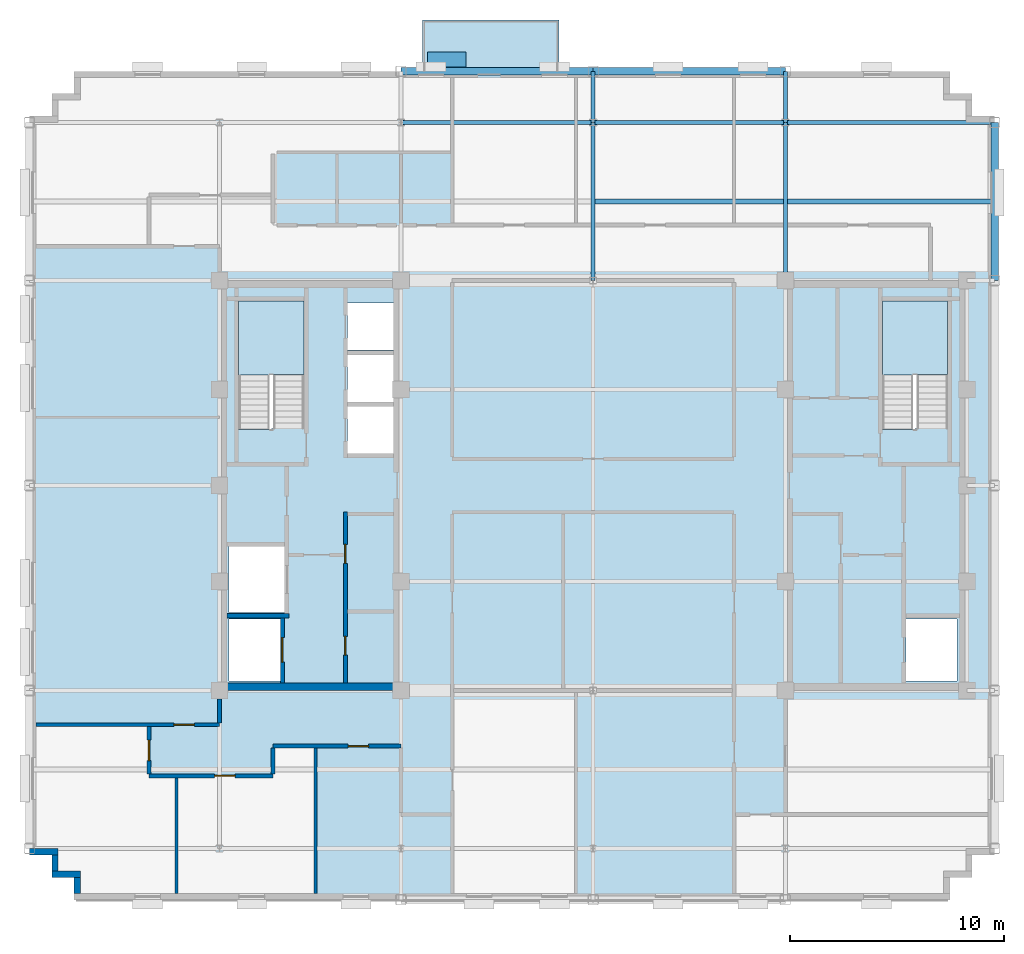
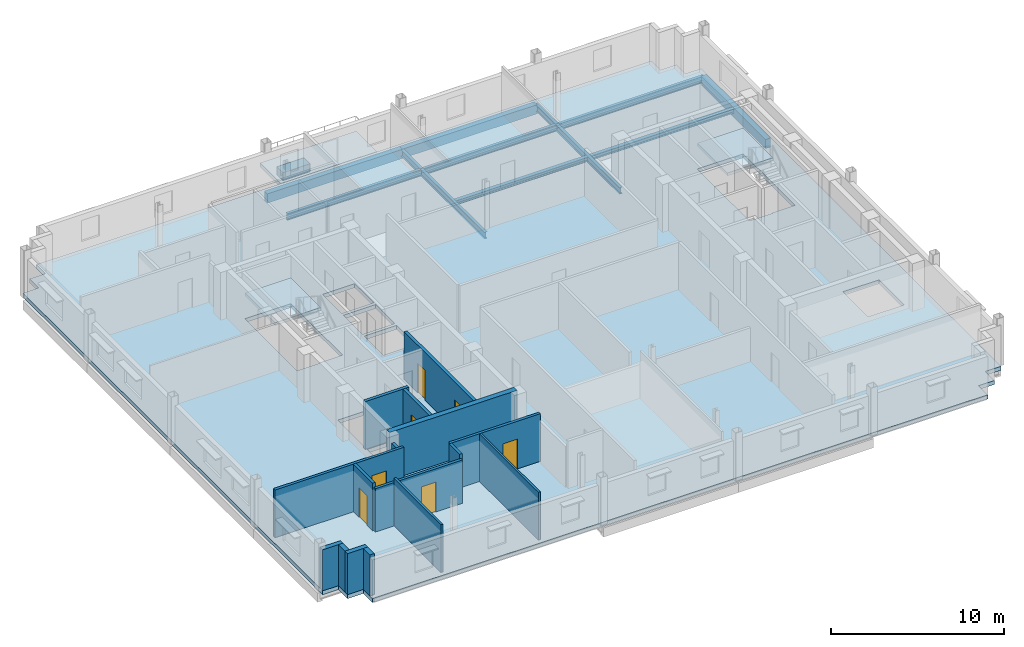
# One storey, part 5 of 14: 16 walls, 12 beams, 7 doors, 4 slabs, 1 plate, 7 openings, 2 elements without a shape of their own.
"""IFC4 building model written with IfcOpenShell, lengths in metres."""

from ifc_helpers import new_model, si_unit, direction, frame, frame_2d, origin, origin_2d, place, context, subcontext, project, spatial, polyline, rectangle, i_section, outline, extrude, source, transform, mapped, material, layer, layer_set, material_profile, profile_set, type_object, type_shapes, element, fill, aggregate, save


model = new_model("IFC4")

# Units and contexts
model_context = context("Model", 3, precision=1e-05, world=origin(), true_north=direction((0.0, 1.0)))
body_context = subcontext(model_context, "Body", "Model", "MODEL_VIEW")
ifc_project = project(units=[si_unit("LENGTHUNIT", "METRE"), si_unit("AREAUNIT", "SQUARE_METRE"), si_unit("VOLUMEUNIT", "CUBIC_METRE"), si_unit("PLANEANGLEUNIT", "RADIAN"), si_unit("MASSUNIT", "GRAM", prefix="KILO")], contexts=[model_context])

# Site, building, storey
site_placement = place(None, origin())
site = spatial("IfcSite", under=ifc_project, at=site_placement, CompositionType="ELEMENT")
building_placement = place(site_placement, origin())
building = spatial("IfcBuilding", under=site, at=building_placement, Name="Nuvemarco Arch Tower", CompositionType="ELEMENT")
storey_placement = place(building_placement, frame((0.0, 0.0, 238.35009765625)))
storey = spatial("IfcBuildingStorey", under=building, at=storey_placement, Name="L63", CompositionType="ELEMENT", Elevation=238.35009765625)

# Beams
ifc_material_1 = material(Name="Steel S355", Category="steel")
ifc_material_profile_1 = material_profile(ifc_material_1, i_section(OverallWidth=0.19189453125, OverallDepth=0.462890625, WebThickness=0.010498046875, FlangeThickness=0.017578125, FilletRadius=0.014892578125, at=origin_2d()), Name="W460x89")
ifc_profile_set_1 = profile_set([ifc_material_profile_1], Name="Steel S355")
beam_type_1 = type_object("IfcBeamType", Name="BM-GIRD-460", PredefinedType="BEAM", material=ifc_profile_set_1)
beam_1_placement = place(storey_placement, frame((0.0, 9.60009765625, -0.51171875), z_axis=(0.0, 1.0, 0.0), x_axis=(-1.0, 0.0, 0.0)))
element("IfcBeam", 1, at=beam_1_placement, inside=storey, type_object=beam_type_1, Name="L63 structural beam BGNS_L63_0_+0.0_+9.6", PredefinedType="BEAM", context=body_context, shape_type="SweptSolid", body=[
    extrude(i_section(OverallWidth=0.19189453125, OverallDepth=0.462890625, WebThickness=0.010498046875, FlangeThickness=0.017578125, FilletRadius=0.014892578125, at=origin_2d()), origin(), (0.0, 0.0, 1.0), 7.39990234375),
])
beam_2_placement = place(storey_placement, frame((0.0, 17.0, -0.51171875), z_axis=(0.0, 1.0, 0.0), x_axis=(-1.0, 0.0, 0.0)))
element("IfcBeam", 2, at=beam_2_placement, inside=storey, type_object=beam_type_1, Name="L63 structural beam BGNS_L63_0_+0.0_+17.0", PredefinedType="BEAM", context=body_context, shape_type="SweptSolid", body=[
    extrude(i_section(OverallWidth=0.19189453125, OverallDepth=0.462890625, WebThickness=0.010498046875, FlangeThickness=0.017578125, FilletRadius=0.014892578125, at=origin_2d()), origin(), (0.0, 0.0, 1.0), 2.39990234375),
])
beam_3_placement = place(storey_placement, frame((9.0, 9.60009765625, -0.51171875), z_axis=(0.0, 1.0, 0.0), x_axis=(-1.0, 0.0, 0.0)))
element("IfcBeam", 3, at=beam_3_placement, inside=storey, type_object=beam_type_1, Name="L63 structural beam BGNS_L63_0_+9.0_+9.6", PredefinedType="BEAM", context=body_context, shape_type="SweptSolid", body=[
    extrude(i_section(OverallWidth=0.19189453125, OverallDepth=0.462890625, WebThickness=0.010498046875, FlangeThickness=0.017578125, FilletRadius=0.014892578125, at=origin_2d()), origin(), (0.0, 0.0, 1.0), 7.39990234375),
])
beam_4_placement = place(storey_placement, frame((9.0, 17.0, -0.51171875), z_axis=(0.0, 1.0, 0.0), x_axis=(-1.0, 0.0, 0.0)))
element("IfcBeam", 4, at=beam_4_placement, inside=storey, type_object=beam_type_1, Name="L63 structural beam BGNS_L63_0_+9.0_+17.0", PredefinedType="BEAM", context=body_context, shape_type="SweptSolid", body=[
    extrude(i_section(OverallWidth=0.19189453125, OverallDepth=0.462890625, WebThickness=0.010498046875, FlangeThickness=0.017578125, FilletRadius=0.014892578125, at=origin_2d()), origin(), (0.0, 0.0, 1.0), 2.39990234375),
])
for number, where, z_axis, x_axis, name in (
    (5, (-9.0, 17.0, -0.51171875), (1.0, 0.0, 0.0), (0.0, 1.0, 0.0), "L63 structural beam BGEW_L63_0_+17.0_-9.0"),
    (6, (0.0, 17.0, -0.51171875), (1.0, 0.0, 0.0), (0.0, 1.0, 0.0), "L63 structural beam BGEW_L63_0_+17.0_+0.0"),
):
    element("IfcBeam", number, at=place(storey_placement, frame(where, z_axis=z_axis, x_axis=x_axis)), inside=storey, type_object=beam_type_1, Name=name, PredefinedType="BEAM", context=body_context, shape_type="SweptSolid", body=[
        extrude(i_section(OverallWidth=0.19189453125, OverallDepth=0.462890625, WebThickness=0.010498046875, FlangeThickness=0.017578125, FilletRadius=0.014892578125, at=origin_2d()), origin(), (0.0, 0.0, 1.0), 9.0),
    ])
beam_5_placement = place(storey_placement, frame((9.0, 17.0, -0.51171875), z_axis=(1.0, 0.0, 0.0), x_axis=(0.0, 1.0, 0.0)))
element("IfcBeam", 7, at=beam_5_placement, inside=storey, type_object=beam_type_1, Name="L63 structural beam BGEW_L63_0_+17.0_+9.0", PredefinedType="BEAM", context=body_context, shape_type="SweptSolid", body=[
    extrude(i_section(OverallWidth=0.19189453125, OverallDepth=0.462890625, WebThickness=0.010498046875, FlangeThickness=0.017578125, FilletRadius=0.014892578125, at=origin_2d()), origin(), (0.0, 0.0, 1.0), 9.800048828125),
])
ifc_material_profile_2 = material_profile(ifc_material_1, i_section(OverallWidth=0.25390625, OverallDepth=0.305908203125, WebThickness=0.0087890625, FlangeThickness=0.0146484375, FilletRadius=0.014892578125, at=origin_2d()), Name="W310x79")
ifc_profile_set_2 = profile_set([ifc_material_profile_2], Name="Steel S355")
beam_type_2 = type_object("IfcBeamType", Name="BM-JOIST-310H", PredefinedType="JOIST", material=ifc_profile_set_2)
beam_6_placement = place(storey_placement, frame((0.095947265625, 13.300048828125, -0.43310546875), z_axis=(1.0, 0.0, 0.0), x_axis=(0.0, 1.0, 0.0)))
element("IfcBeam", 8, at=beam_6_placement, inside=storey, type_object=beam_type_2, Name="L63 structural beam BJ_L63_0_+13.3_+0.0", PredefinedType="JOIST", context=body_context, shape_type="SweptSolid", body=[
    extrude(i_section(OverallWidth=0.25390625, OverallDepth=0.305908203125, WebThickness=0.0087890625, FlangeThickness=0.0146484375, FilletRadius=0.014892578125, at=origin_2d()), origin(), (0.0, 0.0, 1.0), 8.80810546875),
])
beam_7_placement = place(storey_placement, frame((9.095947265625, 13.300048828125, -0.43310546875), z_axis=(1.0, 0.0, 0.0), x_axis=(0.0, 1.0, 0.0)))
element("IfcBeam", 9, at=beam_7_placement, inside=storey, type_object=beam_type_2, Name="L63 structural beam BJ_L63_0_+13.3_+9.0", PredefinedType="JOIST", context=body_context, shape_type="SweptSolid", body=[
    extrude(i_section(OverallWidth=0.25390625, OverallDepth=0.305908203125, WebThickness=0.0087890625, FlangeThickness=0.0146484375, FilletRadius=0.014892578125, at=origin_2d()), origin(), (0.0, 0.0, 1.0), 9.529052734375),
])
ifc_material_2 = material(Name="Precast concrete C45/55", Category="concrete")
ifc_material_profile_3 = material_profile(ifc_material_2, rectangle(XDim=0.35009765625, YDim=0.64990234375, at=origin_2d()), Name="PC-SP-350x650")
ifc_profile_set_3 = profile_set([ifc_material_profile_3], Name="Precast concrete C45/55")
beam_type_3 = type_object("IfcBeamType", Name="BM-SPAN-RC", PredefinedType="SPANDREL", material=ifc_profile_set_3)
beam_8_placement = place(storey_placement, frame((18.800048828125, 9.60009765625, -0.60498046875), z_axis=(0.0, 1.0, 0.0), x_axis=(-1.0, 0.0, 0.0)))
element("IfcBeam", 10, at=beam_8_placement, inside=storey, type_object=beam_type_3, Name="L63 structural beam BGNS_L63_0_+18.8_+9.6", PredefinedType="SPANDREL", context=body_context, shape_type="SweptSolid", body=[
    extrude(rectangle(XDim=0.35009765625, YDim=0.64990234375, at=origin_2d()), origin(), (0.0, 0.0, 1.0), 7.39990234375),
])
for number, where, z_axis, x_axis, name in (
    (11, (-9.0, 19.39990234375, -0.60498046875), (1.0, 0.0, 0.0), (0.0, 1.0, 0.0), "L63 structural beam BGEW_L63_0_+19.4_-9.0"),
    (12, (0.0, 19.39990234375, -0.60498046875), (1.0, 0.0, 0.0), (0.0, 1.0, 0.0), "L63 structural beam BGEW_L63_0_+19.4_+0.0"),
):
    element("IfcBeam", number, at=place(storey_placement, frame(where, z_axis=z_axis, x_axis=x_axis)), inside=storey, type_object=beam_type_3, Name=name, PredefinedType="SPANDREL", context=body_context, shape_type="SweptSolid", body=[
        extrude(rectangle(XDim=0.35009765625, YDim=0.64990234375, at=origin_2d()), origin(), (0.0, 0.0, 1.0), 9.0),
    ])

# Slab
ifc_material_3 = material(Name="Concrete C50/60", Category="concrete")
ifc_layer_1 = layer(ifc_material_3, 0.280029296875, Name="SL-FLR-280")
ifc_layer_set_1 = layer_set([ifc_layer_1], Name="Concrete C50/60")
slab_type_1 = type_object("IfcSlabType", Name="SL-FLR-280", PredefinedType="FLOOR", material=ifc_layer_set_1)
slab_1_placement = place(storey_placement, frame((0.0, 0.0, -0.280029296875)))
element("IfcSlab", 13, at=slab_1_placement, inside=storey, type_object=slab_type_1, Name="L63 structural floor slab", PredefinedType="FLOOR", context=body_context, shape_type="SweptSolid", body=[
    extrude(outline(polyline([(-24.300048828125, -19.39990234375), (16.699951171875, -19.39990234375), (16.699951171875, -18.35009765625), (17.75, -18.35009765625), (17.75, -17.300048828125), (18.800048828125, -17.300048828125), (18.800048828125, 17.300048828125), (17.75, 17.300048828125), (17.75, 18.35009765625), (16.699951171875, 18.35009765625), (16.699951171875, 19.39990234375), (-24.300048828125, 19.39990234375), (-24.300048828125, 18.35009765625), (-25.35009765625, 18.35009765625), (-25.35009765625, 17.300048828125), (-26.39990234375, 17.300048828125), (-26.39990234375, -17.300048828125), (-25.35009765625, -17.300048828125), (-25.35009765625, -18.35009765625), (-24.300048828125, -18.35009765625), (-24.300048828125, -19.39990234375)]), holes=[polyline([(-13.5400390625, 2.669921875), (-13.5400390625, 8.64990234375), (-16.60009765625, 8.64990234375), (-16.60009765625, 2.630615234375), (-15.070068359375, 2.630615234375), (-15.070068359375, 2.669921875), (-13.5400390625, 2.669921875)]), polyline([(16.60009765625, 2.669921875), (16.60009765625, 8.64990234375), (13.5400390625, 8.64990234375), (13.5400390625, 2.630615234375), (15.070068359375, 2.630615234375), (15.070068359375, 2.669921875), (16.60009765625, 2.669921875)]), polyline([(-17.050048828125, -9.14990234375), (-14.64990234375, -9.14990234375), (-14.64990234375, -6.25), (-17.050048828125, -6.25), (-17.050048828125, -9.14990234375)]), polyline([(-17.050048828125, -5.949951171875), (-14.449951171875, -5.949951171875), (-14.449951171875, -2.85009765625), (-17.050048828125, -2.85009765625), (-17.050048828125, -5.949951171875)]), polyline([(-11.5, 1.5), (-9.35009765625, 1.5), (-9.35009765625, 3.699951171875), (-11.5, 3.699951171875), (-11.5, 1.5)]), polyline([(-11.5, 3.919921875), (-9.35009765625, 3.919921875), (-9.35009765625, 6.1201171875), (-11.5, 6.1201171875), (-11.5, 3.919921875)]), polyline([(-11.5, 6.340087890625), (-9.35009765625, 6.340087890625), (-9.35009765625, 8.5400390625), (-11.5, 8.5400390625), (-11.5, 6.340087890625)]), polyline([(14.64990234375, -9.14990234375), (17.050048828125, -9.14990234375), (17.050048828125, -6.25), (14.64990234375, -6.25), (14.64990234375, -9.14990234375)])]), origin(), (0.0, 0.0, 1.0), 0.280029296875),
])

# Stair, slab
stair_type = type_object("IfcStairType", Name="ST-CORE-20R", PredefinedType="HALF_TURN_STAIR", material=ifc_material_2)
stair_1_placement = place(storey_placement, origin())
stair_1 = element("IfcStair", 14, at=stair_1_placement, inside=storey, type_object=stair_type, Name="L63 Protected Exit Stair ST-1", PredefinedType="HALF_TURN_STAIR")
ifc_layer_2 = layer(ifc_material_2, 0.199951171875, Name="SL-LANDING-200")
ifc_layer_set_2 = layer_set([ifc_layer_2], Name="Precast concrete C45/55")
slab_type_2 = type_object("IfcSlabType", Name="SL-LANDING-200", PredefinedType="LANDING", material=ifc_layer_set_2)
slab_2_placement = place(storey_placement, frame((0.0, 0.0, 1.625)))
slab_2 = element("IfcSlab", 15, at=slab_2_placement, type_object=slab_type_2, Name="ST-20R landing 1", PredefinedType="LANDING", context=body_context, shape_type="SweptSolid", body=[
    extrude(outline(polyline([(-13.5400390625, 5.189453125), (-13.5400390625, 8.64990234375), (-16.60009765625, 8.64990234375), (-16.60009765625, 5.169921875), (-15.070068359375, 5.169921875), (-15.070068359375, 5.189453125), (-13.5400390625, 5.189453125)])), origin(), (0.0, 0.0, 1.0), 0.199951171875),
])
aggregate(stair_1, [slab_2])

stair_2_placement = place(storey_placement, origin())
stair_2 = element("IfcStair", 16, at=stair_2_placement, inside=storey, type_object=stair_type, Name="L63 Protected Exit Stair ST-2", PredefinedType="HALF_TURN_STAIR")
slab_3_placement = place(storey_placement, frame((0.0, 0.0, 1.625)))
slab_3 = element("IfcSlab", 17, at=slab_3_placement, type_object=slab_type_2, Name="ST-20R landing 1", PredefinedType="LANDING", context=body_context, shape_type="SweptSolid", body=[
    extrude(outline(polyline([(16.60009765625, 5.189453125), (16.60009765625, 8.64990234375), (13.5400390625, 8.64990234375), (13.5400390625, 5.169921875), (15.070068359375, 5.169921875), (15.070068359375, 5.189453125), (16.60009765625, 5.189453125)])), origin(), (0.0, 0.0, 1.0), 0.199951171875),
])
aggregate(stair_2, [slab_3])

# Slab
ifc_layer_3 = layer(ifc_material_3, 0.294921875, Name="SL-TR4")
ifc_layer_set_3 = layer_set([ifc_layer_3], Name="Concrete C50/60")
slab_type_3 = type_object("IfcSlabType", Name="SL-TR4", PredefinedType="FLOOR", material=ifc_layer_set_3)
slab_4_placement = place(storey_placement, frame((0.0, 0.0, -0.295166015625)))
element("IfcSlab", 18, at=slab_4_placement, inside=storey, type_object=slab_type_3, Name="L63 outdoor spiral terrace slab 1", PredefinedType="FLOOR", context=body_context, shape_type="SweptSolid", body=[
    extrude(outline(polyline([(-8.0, 19.39990234375), (-1.60009765625, 19.39990234375), (-1.60009765625, 21.800048828125), (-8.0, 21.800048828125), (-8.0, 19.39990234375)])), origin(), (0.0, 0.0, 1.0), 0.295166015625),
])

# Plate
ifc_layer_4 = layer(ifc_material_2, 0.550048828125, Name="Tree Balcony Structural Planter")
ifc_layer_set_4 = layer_set([ifc_layer_4], Name="Precast concrete C45/55")
plate_type = type_object("IfcPlateType", Name="Tree Balcony Structural Planter", PredefinedType="USERDEFINED", material=ifc_layer_set_4)
shared_shape_1 = source(origin(), body_context, "Body", "SweptSolid", [
    extrude(rectangle(XDim=1.800048828125, YDim=0.699951171875, at=origin_2d()), origin(), (0.0, 0.0, 1.0), 0.550048828125),
])
type_shapes(plate_type, [shared_shape_1])
plate_placement = place(storey_placement, frame((-6.85009765625, 19.949951171875, 0.0), z_axis=(0.0, 0.0, 1.0), x_axis=(1.0, 0.0, 0.0)))
element("IfcPlate", 19, at=plate_placement, inside=storey, type_object=plate_type, Name="L63 Tree Balcony Structural Planter", ObjectType="PLANTER", PredefinedType="USERDEFINED", context=body_context, shape_type="MappedRepresentation", body=[
    mapped(shared_shape_1, transform((0.0, 0.0, 0.0), scale=1.0)),
])

# Walls
ifc_layer_5 = layer(ifc_material_2, 0.300048828125, Name="EW-HIGH-300")
ifc_layer_set_5 = layer_set([ifc_layer_5], Name="Precast concrete C45/55")
wall_type_1 = type_object("IfcWallType", Name="EW-HIGH-300", PredefinedType="STANDARD", material=ifc_layer_set_5)
wall_1_placement = place(storey_placement, frame((-26.39990234375, -17.14990234375, 0.0), z_axis=(0.0, 0.0, 1.0), x_axis=(1.0, 0.0, 0.0)))
element("IfcWall", 20, at=wall_1_placement, inside=storey, type_object=wall_type_1, Name="L63 exterior precast facade wall 17", PredefinedType="STANDARD", context=body_context, shape_type="SweptSolid", body=[
    extrude(rectangle(XDim=1.349853515625, YDim=0.300048828125, at=frame_2d((0.6748046875, 0.0))), origin(), (0.0, 0.0, 1.0), 2.891845703125),
])
wall_2_placement = place(storey_placement, frame((-25.199951171875, -18.053955078125, 0.0), z_axis=(0.0, 0.0, 1.0), x_axis=(0.0, 1.0, 0.0)))
element("IfcWall", 21, at=wall_2_placement, inside=storey, type_object=wall_type_1, Name="L63 exterior precast facade wall 18", PredefinedType="STANDARD", context=body_context, shape_type="SweptSolid", body=[
    extrude(rectangle(XDim=0.758056640625, YDim=0.300048828125, at=frame_2d((0.37890625, 0.0))), origin(), (0.0, 0.0, 1.0), 2.891845703125),
])
wall_3_placement = place(storey_placement, frame((-25.35009765625, -18.199951171875, 0.0), z_axis=(0.0, 0.0, 1.0), x_axis=(1.0, 0.0, 0.0)))
element("IfcWall", 22, at=wall_3_placement, inside=storey, type_object=wall_type_1, Name="L63 exterior precast facade wall 19", PredefinedType="STANDARD", context=body_context, shape_type="SweptSolid", body=[
    extrude(rectangle(XDim=1.35009765625, YDim=0.300048828125, at=frame_2d((0.675048828125, 0.0))), origin(), (0.0, 0.0, 1.0), 2.891845703125),
])
wall_4_placement = place(storey_placement, frame((-24.14990234375, -19.10400390625, 0.0), z_axis=(0.0, 0.0, 1.0), x_axis=(0.0, 1.0, 0.0)))
element("IfcWall", 23, at=wall_4_placement, inside=storey, type_object=wall_type_1, Name="L63 exterior precast facade wall 20", PredefinedType="STANDARD", context=body_context, shape_type="SweptSolid", body=[
    extrude(rectangle(XDim=0.758056640625, YDim=0.300048828125, at=frame_2d((0.37890625, 0.0))), origin(), (0.0, 0.0, 1.0), 2.891845703125),
])
ifc_layer_6 = layer(ifc_material_3, 0.35009765625, Name="WL-CORE-350")
ifc_layer_set_6 = layer_set([ifc_layer_6], Name="Concrete C50/60")
wall_type_2 = type_object("IfcWallType", Name="WL-CORE-350", PredefinedType="SHEAR", material=ifc_layer_set_6)
wall_5_placement = place(storey_placement, frame((-17.5, -9.425048828125, 0.0), z_axis=(0.0, 0.0, 1.0), x_axis=(1.0, 0.0, 0.0)))
element("IfcWall", 24, at=wall_5_placement, inside=storey, type_object=wall_type_2, Name="L63 W-core shear wall S", PredefinedType="SHEAR", context=body_context, shape_type="SweptSolid", body=[
    extrude(rectangle(XDim=8.5, YDim=0.35009765625, at=frame_2d((4.25, 0.0))), origin(), (0.0, 0.0, 1.0), 3.369873046875),
])

# Wall, opening, door
ifc_material_4 = material(Name="Fire-rated gypsum drywall partition")
ifc_layer_7 = layer(ifc_material_4, 0.179931640625, Name="WL-CORR-180")
ifc_layer_set_7 = layer_set([ifc_layer_7], Name="Fire-rated gypsum drywall partition")
wall_type_3 = type_object("IfcWallType", Name="WL-CORR-180", PredefinedType="PARTITIONING", material=ifc_layer_set_7)
wall_6_placement = place(storey_placement, frame((-20.800048828125, -13.60009765625, 0.0), z_axis=(0.0, 0.0, 1.0), x_axis=(1.0, 0.0, 0.0)))
wall_6 = element("IfcWall", 25, at=wall_6_placement, inside=storey, type_object=wall_type_3, Name="L63 interior wall IW-L63-003", PredefinedType="PARTITIONING", context=body_context, shape_type="SweptSolid", body=[
    extrude(rectangle(XDim=5.800048828125, YDim=0.179931640625, at=frame_2d((2.89990234375, 0.0))), origin(), (0.0, 0.0, 1.0), 3.048828125),
])
opening_1_placement = place(wall_6_placement, frame((3.070068359375, 0.0, 0.0)))
opening_1 = element("IfcOpeningElement", 26, at=opening_1_placement, cuts=wall_6, Name="Opening FD-5", PredefinedType="OPENING", context=body_context, shape_type="SweptSolid", body=[
    extrude(rectangle(XDim=0.9599609375, YDim=2.10009765625, at=frame_2d((0.47998046875, 1.050048828125))), frame((0.0, 0.099853515625, 0.0), z_axis=(0.0, -1.0, 0.0), x_axis=(1.0, 0.0, 0.0)), (0.0, 0.0, 1.0), 0.199951171875),
])
ifc_material_5 = material(Name="Timber fire door", Category="wood")
door_type_1 = type_object("IfcDoorType", Name="DR-CORR-FD", OperationType="NOTDEFINED", PredefinedType="DOOR", material=ifc_material_5)
shared_shape_2 = source(origin(), body_context, "Body", "SweptSolid", [
    extrude(rectangle(XDim=0.9599609375, YDim=2.10009765625, at=frame_2d((0.47998046875, 1.050048828125))), frame((0.0, 0.02490234375, 0.0), z_axis=(0.0, -1.0, 0.0), x_axis=(1.0, 0.0, 0.0)), (0.0, 0.0, 1.0), 0.050048828125),
])
type_shapes(door_type_1, [shared_shape_2])
door_1_placement = place(opening_1_placement, origin())
door_1 = element("IfcDoor", 27, at=door_1_placement, inside=storey, type_object=door_type_1, Name="L63 door DR-L63-S_2", OperationType="SINGLE_SWING_RIGHT", OverallHeight=2.10009765625, OverallWidth=0.9599609375, PredefinedType="DOOR", context=body_context, shape_type="MappedRepresentation", body=[
    mapped(shared_shape_2, transform((0.0, 0.0, 0.0), scale=1.0)),
])
fill(opening_1, door_1)

wall_7_placement = place(storey_placement, frame((-15.0, -12.199951171875, 0.0), z_axis=(0.0, 0.0, 1.0), x_axis=(1.0, 0.0, 0.0)))
wall_7 = element("IfcWall", 28, at=wall_7_placement, inside=storey, type_object=wall_type_3, Name="L63 interior wall IW-L63-004", PredefinedType="PARTITIONING", context=body_context, shape_type="SweptSolid", body=[
    extrude(rectangle(XDim=6.0, YDim=0.179931640625, at=frame_2d((3.0, 0.0))), origin(), (0.0, 0.0, 1.0), 3.35986328125),
])
opening_2_placement = place(wall_7_placement, frame((3.52001953125, 0.0, 0.0)))
opening_2 = element("IfcOpeningElement", 29, at=opening_2_placement, cuts=wall_7, Name="Opening FD-5", PredefinedType="OPENING", context=body_context, shape_type="SweptSolid", body=[
    extrude(rectangle(XDim=0.9599609375, YDim=2.10009765625, at=frame_2d((0.47998046875, 1.050048828125))), frame((0.0, 0.099853515625, 0.0), z_axis=(0.0, -1.0, 0.0), x_axis=(1.0, 0.0, 0.0)), (0.0, 0.0, 1.0), 0.199951171875),
])
door_2_placement = place(opening_2_placement, origin())
door_2 = element("IfcDoor", 30, at=door_2_placement, inside=storey, type_object=door_type_1, Name="L63 door DR-L63-S_3", OperationType="SINGLE_SWING_LEFT", OverallHeight=2.10009765625, OverallWidth=0.9599609375, PredefinedType="DOOR", context=body_context, shape_type="MappedRepresentation", body=[
    mapped(shared_shape_2, transform((0.0, 0.0, 0.0), scale=1.0)),
])
fill(opening_2, door_2)

wall_8_placement = place(storey_placement, frame((-26.10009765625, -11.199951171875, 0.0), z_axis=(0.0, 0.0, 1.0), x_axis=(1.0, 0.0, 0.0)))
wall_8 = element("IfcWall", 31, at=wall_8_placement, inside=storey, type_object=wall_type_3, Name="L63 interior wall IW-L63-005", PredefinedType="PARTITIONING", context=body_context, shape_type="SweptSolid", body=[
    extrude(rectangle(XDim=8.60009765625, YDim=0.179931640625, at=frame_2d((4.300048828125, 0.0))), origin(), (0.0, 0.0, 1.0), 3.35986328125),
])
opening_3_placement = place(wall_8_placement, frame((6.469970703125, 0.0, 0.0)))
opening_3 = element("IfcOpeningElement", 32, at=opening_3_placement, cuts=wall_8, Name="Opening FD-5", PredefinedType="OPENING", context=body_context, shape_type="SweptSolid", body=[
    extrude(rectangle(XDim=0.9599609375, YDim=2.10009765625, at=frame_2d((0.47998046875, 1.050048828125))), frame((0.0, 0.099853515625, 0.0), z_axis=(0.0, -1.0, 0.0), x_axis=(1.0, 0.0, 0.0)), (0.0, 0.0, 1.0), 0.199951171875),
])
door_3_placement = place(opening_3_placement, origin())
door_3 = element("IfcDoor", 33, at=door_3_placement, inside=storey, type_object=door_type_1, Name="L63 door DR-L63-W_1", OperationType="SINGLE_SWING_RIGHT", OverallHeight=2.10009765625, OverallWidth=0.9599609375, PredefinedType="DOOR", context=body_context, shape_type="MappedRepresentation", body=[
    mapped(shared_shape_2, transform((0.0, 0.0, 0.0), scale=1.0)),
])
fill(opening_3, door_3)

wall_9_placement = place(storey_placement, frame((-20.800048828125, -13.513916015625, 0.0), z_axis=(0.0, 0.0, 1.0), x_axis=(0.0, 1.0, 0.0)))
wall_9 = element("IfcWall", 34, at=wall_9_placement, inside=storey, type_object=wall_type_3, Name="L63 interior wall IW-L63-018", PredefinedType="PARTITIONING", context=body_context, shape_type="SweptSolid", body=[
    extrude(rectangle(XDim=2.22802734375, YDim=0.179931640625, at=frame_2d((1.114013671875, 0.0))), origin(), (0.0, 0.0, 1.0), 3.35986328125),
])
opening_4_placement = place(wall_9_placement, frame((0.634033203125, 0.0, 0.0)))
opening_4 = element("IfcOpeningElement", 35, at=opening_4_placement, cuts=wall_9, Name="Opening FD-5", PredefinedType="OPENING", context=body_context, shape_type="SweptSolid", body=[
    extrude(rectangle(XDim=0.9599609375, YDim=2.10009765625, at=frame_2d((0.47998046875, 1.050048828125))), frame((0.0, 0.099853515625, 0.0), z_axis=(0.0, -1.0, 0.0), x_axis=(1.0, 0.0, 0.0)), (0.0, 0.0, 1.0), 0.199951171875),
])
door_4_placement = place(opening_4_placement, origin())
door_4 = element("IfcDoor", 36, at=door_4_placement, inside=storey, type_object=door_type_1, Name="L63 door DR-L63-S_1", OperationType="SINGLE_SWING_LEFT", OverallHeight=2.10009765625, OverallWidth=0.9599609375, PredefinedType="DOOR", context=body_context, shape_type="MappedRepresentation", body=[
    mapped(shared_shape_2, transform((0.0, 0.0, 0.0), scale=1.0)),
])
fill(opening_4, door_4)

# Walls
wall_10_placement = place(storey_placement, frame((-17.5, -11.114013671875, 0.0), z_axis=(0.0, 0.0, 1.0), x_axis=(0.0, 1.0, 0.0)))
element("IfcWall", 37, at=wall_10_placement, inside=storey, type_object=wall_type_3, Name="L63 interior wall IW-L63-021", PredefinedType="PARTITIONING", context=body_context, shape_type="SweptSolid", body=[
    extrude(rectangle(XDim=1.117919921875, YDim=0.179931640625, at=frame_2d((0.55908203125, 0.0))), origin(), (0.0, 0.0, 1.0), 2.891845703125),
])
wall_11_placement = place(storey_placement, frame((-15.0, -13.513916015625, 0.0), z_axis=(0.0, 0.0, 1.0), x_axis=(0.0, 1.0, 0.0)))
element("IfcWall", 38, at=wall_11_placement, inside=storey, type_object=wall_type_3, Name="L63 interior wall IW-L63-023", PredefinedType="PARTITIONING", context=body_context, shape_type="SweptSolid", body=[
    extrude(rectangle(XDim=1.22802734375, YDim=0.179931640625, at=frame_2d((0.614013671875, 0.0))), origin(), (0.0, 0.0, 1.0), 3.35986328125),
])
ifc_material_6 = material(Name="Glazed acoustic office partition")
ifc_layer_8 = layer(ifc_material_6, 0.1298828125, Name="WL-EXEC-130")
ifc_layer_set_8 = layer_set([ifc_layer_8], Name="Glazed acoustic office partition")
wall_type_4 = type_object("IfcWallType", Name="WL-EXEC-130", PredefinedType="PARTITIONING", material=ifc_layer_set_8)
wall_12_placement = place(storey_placement, frame((-13.0, -19.10009765625, 0.0), z_axis=(0.0, 0.0, 1.0), x_axis=(0.0, 1.0, 0.0)))
element("IfcWall", 39, at=wall_12_placement, inside=storey, type_object=wall_type_4, Name="L63 interior wall IW-L63-025", PredefinedType="PARTITIONING", context=body_context, shape_type="SweptSolid", body=[
    extrude(rectangle(XDim=6.814208984375, YDim=0.1298828125, at=frame_2d((3.4072265625, 0.0))), origin(), (0.0, 0.0, 1.0), 3.35986328125),
])
ifc_material_7 = material(Name="Gypsum plasterboard partition")
ifc_layer_9 = layer(ifc_material_7, 0.139892578125, Name="WL-ROOM-140")
ifc_layer_set_9 = layer_set([ifc_layer_9], Name="Gypsum plasterboard partition")
wall_type_5 = type_object("IfcWallType", Name="WL-ROOM-140", PredefinedType="PARTITIONING", material=ifc_layer_set_9)
wall_13_placement = place(storey_placement, frame((-19.5, -19.10009765625, 0.0), z_axis=(0.0, 0.0, 1.0), x_axis=(0.0, 1.0, 0.0)))
element("IfcWall", 40, at=wall_13_placement, inside=storey, type_object=wall_type_5, Name="L63 interior wall IW-L63-020", PredefinedType="PARTITIONING", context=body_context, shape_type="SweptSolid", body=[
    extrude(rectangle(XDim=5.4140625, YDim=0.139892578125, at=frame_2d((2.70703125, 0.0))), origin(), (0.0, 0.0, 1.0), 3.35986328125),
])

# Wall, opening, door
ifc_layer_10 = layer(ifc_material_3, 0.199951171875, Name="WL-SHAFT-220")
ifc_layer_set_10 = layer_set([ifc_layer_10], Name="Concrete C50/60")
wall_type_6 = type_object("IfcWallType", Name="WL-SHAFT-220", PredefinedType="SHEAR", material=ifc_layer_set_10)
wall_14_placement = place(storey_placement, frame((-14.550048828125, -9.2548828125, 0.0), z_axis=(0.0, 0.0, 1.0), x_axis=(0.0, 1.0, 0.0)))
wall_14 = element("IfcWall", 41, at=wall_14_placement, inside=storey, type_object=wall_type_6, Name="L63 structural shaft wall SW-L63-W-SHE", PredefinedType="SHEAR", context=body_context, shape_type="SweptSolid", body=[
    extrude(rectangle(XDim=3.059814453125, YDim=0.199951171875, at=frame_2d((1.52978515625, 0.0))), origin(), (0.0, 0.0, 1.0), 3.369873046875),
])
opening_5_placement = place(wall_14_placement, frame((0.97998046875, 0.0, 0.0)))
opening_5 = element("IfcOpeningElement", 42, at=opening_5_placement, cuts=wall_14, Name="Opening LD-2", PredefinedType="OPENING", context=body_context, shape_type="SweptSolid", body=[
    extrude(rectangle(XDim=1.14990234375, YDim=2.14990234375, at=frame_2d((0.574951171875, 1.074951171875))), frame((0.0, 0.10986328125, 0.0), z_axis=(0.0, -1.0, 0.0), x_axis=(1.0, 0.0, 0.0)), (0.0, 0.0, 1.0), 0.219970703125),
])
ifc_material_8 = material(Name="Stainless steel lift door", Category="steel")
door_type_2 = type_object("IfcDoorType", Name="DR-LIFT-FIRE", OperationType="DOUBLE_DOOR_SLIDING", PredefinedType="DOOR", material=ifc_material_8)
shared_shape_3 = source(origin(), body_context, "Body", "SweptSolid", [
    extrude(rectangle(XDim=1.14990234375, YDim=2.14990234375, at=frame_2d((0.574951171875, 1.074951171875))), frame((0.0, 0.02490234375, 0.0), z_axis=(0.0, -1.0, 0.0), x_axis=(1.0, 0.0, 0.0)), (0.0, 0.0, 1.0), 0.050048828125),
])
type_shapes(door_type_2, [shared_shape_3])
door_5_placement = place(opening_5_placement, origin())
door_5 = element("IfcDoor", 43, at=door_5_placement, inside=storey, type_object=door_type_2, Name="L63 Lift landing sliding door FFL-1", OperationType="DOUBLE_DOOR_SLIDING", OverallHeight=2.14990234375, OverallWidth=1.14990234375, PredefinedType="DOOR", context=body_context, shape_type="MappedRepresentation", body=[
    mapped(shared_shape_3, transform((0.0, 0.0, 0.0), scale=1.0)),
])
fill(opening_5, door_5)

# Wall
wall_15_placement = place(storey_placement, frame((-17.155029296875, -6.10009765625, 0.0), z_axis=(0.0, 0.0, 1.0), x_axis=(1.0, 0.0, 0.0)))
element("IfcWall", 44, at=wall_15_placement, inside=storey, type_object=wall_type_6, Name="L63 structural shaft wall SW-L63-W-SH1", PredefinedType="SHEAR", context=body_context, shape_type="SweptSolid", body=[
    extrude(rectangle(XDim=2.905029296875, YDim=0.199951171875, at=frame_2d((1.45263671875, 0.0))), origin(), (0.0, 0.0, 1.0), 3.369873046875),
])

# Wall, openings, doors
wall_16_placement = place(storey_placement, frame((-11.60009765625, -9.2548828125, 0.0), z_axis=(0.0, 0.0, 1.0), x_axis=(0.0, 1.0, 0.0)))
wall_16 = element("IfcWall", 45, at=wall_16_placement, inside=storey, type_object=wall_type_6, Name="L63 structural shaft wall SW-L63-W-PLW", PredefinedType="SHEAR", context=body_context, shape_type="SweptSolid", body=[
    extrude(rectangle(XDim=8.02490234375, YDim=0.199951171875, at=frame_2d((4.012451171875, 0.0))), origin(), (0.0, 0.0, 1.0), 3.369873046875),
])
opening_6_placement = place(wall_16_placement, frame((1.31494140625, 0.0, 0.0)))
opening_6 = element("IfcOpeningElement", 46, at=opening_6_placement, cuts=wall_16, Name="Opening FD-4", PredefinedType="OPENING", context=body_context, shape_type="SweptSolid", body=[
    extrude(rectangle(XDim=0.8798828125, YDim=2.10009765625, at=frame_2d((0.43994140625, 1.050048828125))), frame((0.0, 0.10986328125, 0.0), z_axis=(0.0, -1.0, 0.0), x_axis=(1.0, 0.0, 0.0)), (0.0, 0.0, 1.0), 0.219970703125),
])
opening_7_placement = place(wall_16_placement, frame((5.614990234375, 0.0, 0.0)))
opening_7 = element("IfcOpeningElement", 47, at=opening_7_placement, cuts=wall_16, Name="Opening FD-4", PredefinedType="OPENING", context=body_context, shape_type="SweptSolid", body=[
    extrude(rectangle(XDim=0.8798828125, YDim=2.10009765625, at=frame_2d((0.43994140625, 1.050048828125))), frame((0.0, 0.10986328125, 0.0), z_axis=(0.0, -1.0, 0.0), x_axis=(1.0, 0.0, 0.0)), (0.0, 0.0, 1.0), 0.219970703125),
])
ifc_material_9 = material(Name="Anodised steel fire door", Category="steel")
door_type_3 = type_object("IfcDoorType", Name="DR-RISER-FD", OperationType="NOTDEFINED", PredefinedType="DOOR", material=ifc_material_9)
shared_shape_4 = source(origin(), body_context, "Body", "SweptSolid", [
    extrude(rectangle(XDim=0.8798828125, YDim=2.10009765625, at=frame_2d((0.43994140625, 1.050048828125))), frame((0.0, 0.02490234375, 0.0), z_axis=(0.0, -1.0, 0.0), x_axis=(1.0, 0.0, 0.0)), (0.0, 0.0, 1.0), 0.050048828125),
])
type_shapes(door_type_3, [shared_shape_4])
door_6_placement = place(opening_6_placement, origin())
door_6 = element("IfcDoor", 48, at=door_6_placement, inside=storey, type_object=door_type_3, Name="L63 door FD-L63-WREC1", OperationType="SINGLE_SWING_LEFT", OverallHeight=2.10009765625, OverallWidth=0.8798828125, PredefinedType="DOOR", context=body_context, shape_type="MappedRepresentation", body=[
    mapped(shared_shape_4, transform((0.0, 0.0, 0.0), scale=1.0)),
])
fill(opening_6, door_6)
door_7_placement = place(opening_7_placement, origin())
door_7 = element("IfcDoor", 49, at=door_7_placement, inside=storey, type_object=door_type_3, Name="L63 door FD-L63-WREC2", OperationType="SINGLE_SWING_RIGHT", OverallHeight=2.10009765625, OverallWidth=0.8798828125, PredefinedType="DOOR", context=body_context, shape_type="MappedRepresentation", body=[
    mapped(shared_shape_4, transform((0.0, 0.0, 0.0), scale=1.0)),
])
fill(opening_7, door_7)

save(model, "model.ifc")
